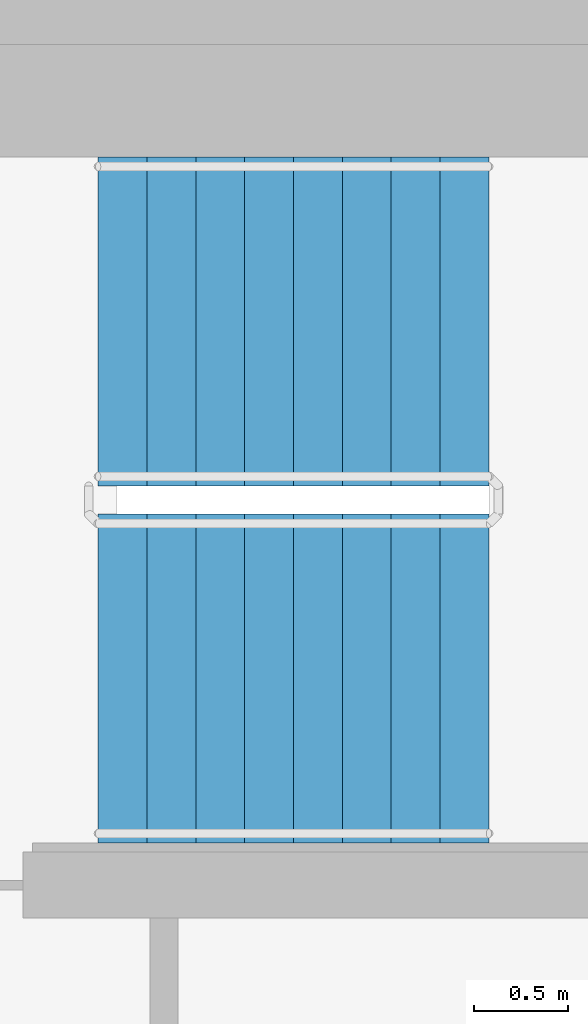
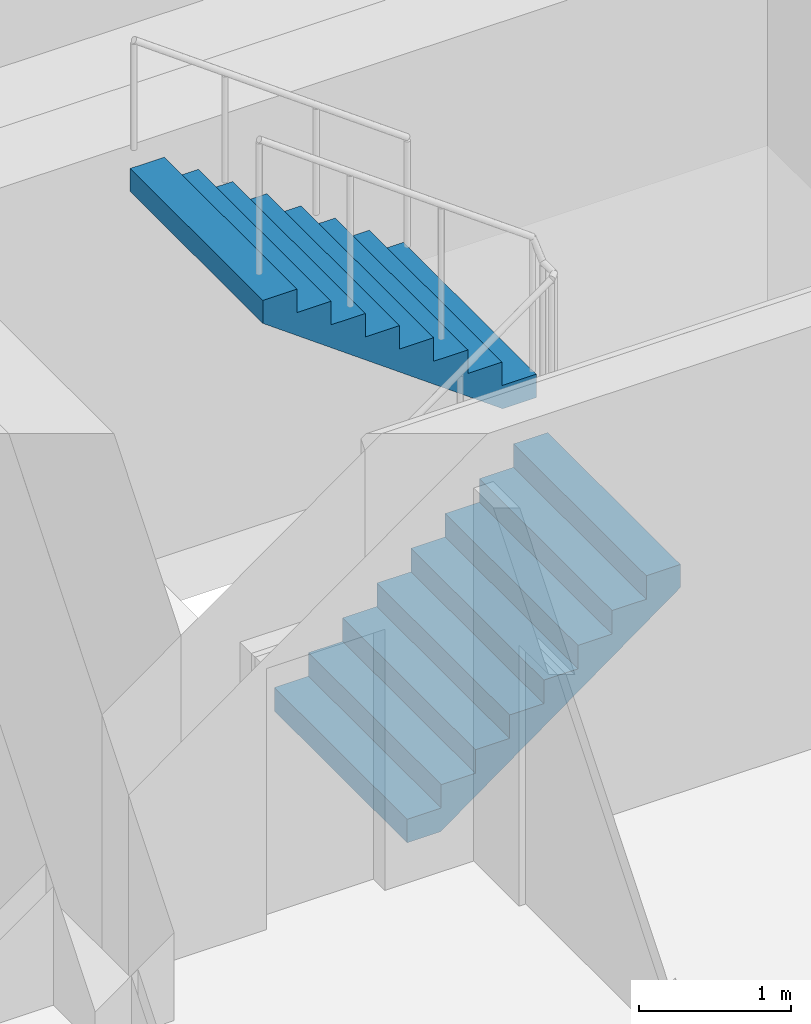
# One storey, part 13 of 18: 2 stair flights, 1 element without a shape of its own.
"""IFC4 building model written with IfcOpenShell, lengths in metres."""

from ifc_helpers import new_model, si_unit, direction, frame, origin, place, context, subcontext, project, spatial, faceted_brep, material, type_object, element, aggregate, save


model = new_model("IFC4")

# Units and contexts
model_context = context("Model", 3, precision=1e-05, world=origin(), true_north=direction((0.0, 1.0)))
body_context = subcontext(model_context, "Body", "Model", "MODEL_VIEW")
ifc_project = project(units=[si_unit("LENGTHUNIT", "METRE"), si_unit("AREAUNIT", "SQUARE_METRE"), si_unit("VOLUMEUNIT", "CUBIC_METRE"), si_unit("PLANEANGLEUNIT", "RADIAN"), si_unit("MASSUNIT", "GRAM", prefix="KILO")], contexts=[model_context])

# Site, building, storey
site_placement = place(None, origin())
site = spatial("IfcSite", under=ifc_project, at=site_placement, CompositionType="ELEMENT")
building_placement = place(site_placement, origin())
building = spatial("IfcBuilding", under=site, at=building_placement, Name="Ipe Terrace Towers", CompositionType="ELEMENT")
storey_placement = place(building_placement, frame((0.0, 0.0, 192.60009765625)))
storey = spatial("IfcBuildingStorey", under=building, at=storey_placement, Name="L53", CompositionType="ELEMENT", Elevation=192.60009765625)

# Stair, stair flights
ifc_material_1 = material(Name="Concrete C30/37", Category="concrete")
stair_type = type_object("IfcStairType", Name="Protected exit stair", PredefinedType="HALF_TURN_STAIR", material=ifc_material_1)
stair_placement = place(storey_placement, origin())
stair = element("IfcStair", 1, at=stair_placement, inside=storey, type_object=stair_type, Name="L53 Exit stair T1-C1", PredefinedType="HALF_TURN_STAIR")
ifc_material_2 = material(Name="Concrete C30/37", Category="concrete")
stair_flight_type = type_object("IfcStairFlightType", Name="Exit stair flight 1750", PredefinedType="STRAIGHT", material=ifc_material_2)
stair_flight_1_placement = place(storey_placement, frame((-26.300048828125, 2.77490234375, 0.0), z_axis=(0.0, 0.0, 1.0), x_axis=(1.0, 0.0, 0.0)))
stair_flight_1 = element("IfcStairFlight", 2, at=stair_flight_1_placement, type_object=stair_flight_type, Name="T1-ST1 flight 1", NumberOfRisers=9, NumberOfTreads=8, PredefinedType="STRAIGHT", RiserHeight=0.188888889, TreadLength=0.26, context=body_context, shape_type="Brep", body=[
    faceted_brep([(0.255126953125, -0.875, 0.0), (2.080078125, -0.875, 1.325927734375), (2.080078125, -0.875, 1.51123046875), (1.820068359375, -0.875, 1.51123046875), (1.820068359375, -0.875, 1.322265625), (1.56005859375, -0.875, 1.322265625), (1.56005859375, -0.875, 1.13330078125), (1.300048828125, -0.875, 1.13330078125), (1.300048828125, -0.875, 0.9443359375), (1.0400390625, -0.875, 0.9443359375), (1.0400390625, -0.875, 0.755615234375), (0.780029296875, -0.875, 0.755615234375), (0.780029296875, -0.875, 0.566650390625), (0.52001953125, -0.875, 0.566650390625), (0.52001953125, -0.875, 0.377685546875), (0.260009765625, -0.875, 0.377685546875), (0.260009765625, -0.875, 0.18896484375), (0.0, -0.875, 0.18896484375), (0.0, -0.875, 0.0), (0.0, 0.875, 0.0), (0.0, 0.875, 0.18896484375), (0.260009765625, 0.875, 0.18896484375), (0.260009765625, 0.875, 0.377685546875), (0.52001953125, 0.875, 0.377685546875), (0.52001953125, 0.875, 0.566650390625), (0.780029296875, 0.875, 0.566650390625), (0.780029296875, 0.875, 0.755615234375), (1.0400390625, 0.875, 0.755615234375), (1.0400390625, 0.875, 0.9443359375), (1.300048828125, 0.875, 0.9443359375), (1.300048828125, 0.875, 1.13330078125), (1.56005859375, 0.875, 1.13330078125), (1.56005859375, 0.875, 1.322265625), (1.820068359375, 0.875, 1.322265625), (1.820068359375, 0.875, 1.51123046875), (2.080078125, 0.875, 1.51123046875), (2.080078125, 0.875, 1.325927734375), (0.255126953125, 0.875, 0.0), (0.0, -0.300048828125, 0.18896484375), (0.0, -0.1201171875, 0.18896484375), (0.0, -0.06005859375, 0.18896484375), (0.0, -0.030029296875, 0.18896484375), (0.0, -0.010009765625, 0.18896484375), (0.0, 0.0, 0.18896484375), (0.0, 0.010009765625, 0.18896484375), (0.0, 0.030029296875, 0.18896484375), (0.0, 0.06005859375, 0.18896484375), (0.0, 0.1201171875, 0.18896484375), (0.0, 0.300048828125, 0.18896484375), (0.0, 0.300048828125, 0.0), (0.0, 0.1201171875, 0.0), (0.0, 0.06005859375, 0.0), (0.0, 0.030029296875, 0.0), (0.0, 0.010009765625, 0.0), (0.0, 0.0, 0.0), (0.0, -0.010009765625, 0.0), (0.0, -0.030029296875, 0.0), (0.0, -0.06005859375, 0.0), (0.0, -0.1201171875, 0.0), (0.0, -0.300048828125, 0.0), (0.260009765625, -0.300048828125, 0.18896484375), (0.260009765625, -0.1201171875, 0.18896484375), (0.260009765625, -0.06005859375, 0.18896484375), (0.260009765625, -0.030029296875, 0.18896484375), (0.260009765625, -0.010009765625, 0.18896484375), (0.260009765625, 0.0, 0.18896484375), (0.260009765625, 0.010009765625, 0.18896484375), (0.260009765625, 0.030029296875, 0.18896484375), (0.260009765625, 0.06005859375, 0.18896484375), (0.260009765625, 0.1201171875, 0.18896484375), (0.260009765625, 0.300048828125, 0.18896484375), (0.260009765625, -0.300048828125, 0.377685546875), (0.260009765625, -0.1201171875, 0.377685546875), (0.260009765625, -0.06005859375, 0.377685546875), (0.260009765625, -0.030029296875, 0.377685546875), (0.260009765625, -0.010009765625, 0.377685546875), (0.260009765625, 0.0, 0.377685546875), (0.260009765625, 0.010009765625, 0.377685546875), (0.260009765625, 0.030029296875, 0.377685546875), (0.260009765625, 0.06005859375, 0.377685546875), (0.260009765625, 0.1201171875, 0.377685546875), (0.260009765625, 0.300048828125, 0.377685546875), (0.52001953125, -0.300048828125, 0.377685546875), (0.52001953125, -0.1201171875, 0.377685546875), (0.52001953125, -0.06005859375, 0.377685546875), (0.52001953125, -0.030029296875, 0.377685546875), (0.52001953125, -0.010009765625, 0.377685546875), (0.52001953125, 0.0, 0.377685546875), (0.52001953125, 0.010009765625, 0.377685546875), (0.52001953125, 0.030029296875, 0.377685546875), (0.52001953125, 0.06005859375, 0.377685546875), (0.52001953125, 0.1201171875, 0.377685546875), (0.52001953125, 0.300048828125, 0.377685546875), (0.52001953125, -0.300048828125, 0.566650390625), (0.52001953125, -0.1201171875, 0.566650390625), (0.52001953125, -0.06005859375, 0.566650390625), (0.52001953125, -0.030029296875, 0.566650390625), (0.52001953125, -0.010009765625, 0.566650390625), (0.52001953125, 0.0, 0.566650390625), (0.52001953125, 0.010009765625, 0.566650390625), (0.52001953125, 0.030029296875, 0.566650390625), (0.52001953125, 0.06005859375, 0.566650390625), (0.52001953125, 0.1201171875, 0.566650390625), (0.52001953125, 0.300048828125, 0.566650390625), (0.780029296875, -0.300048828125, 0.566650390625), (0.780029296875, -0.1201171875, 0.566650390625), (0.780029296875, -0.06005859375, 0.566650390625), (0.780029296875, -0.030029296875, 0.566650390625), (0.780029296875, -0.010009765625, 0.566650390625), (0.780029296875, 0.0, 0.566650390625), (0.780029296875, 0.010009765625, 0.566650390625), (0.780029296875, 0.030029296875, 0.566650390625), (0.780029296875, 0.06005859375, 0.566650390625), (0.780029296875, 0.1201171875, 0.566650390625), (0.780029296875, 0.300048828125, 0.566650390625), (0.780029296875, -0.300048828125, 0.755615234375), (0.780029296875, -0.1201171875, 0.755615234375), (0.780029296875, -0.06005859375, 0.755615234375), (0.780029296875, -0.030029296875, 0.755615234375), (0.780029296875, -0.010009765625, 0.755615234375), (0.780029296875, 0.0, 0.755615234375), (0.780029296875, 0.010009765625, 0.755615234375), (0.780029296875, 0.030029296875, 0.755615234375), (0.780029296875, 0.06005859375, 0.755615234375), (0.780029296875, 0.1201171875, 0.755615234375), (0.780029296875, 0.300048828125, 0.755615234375), (1.0400390625, -0.300048828125, 0.755615234375), (1.0400390625, -0.1201171875, 0.755615234375), (1.0400390625, -0.06005859375, 0.755615234375), (1.0400390625, -0.030029296875, 0.755615234375), (1.0400390625, -0.010009765625, 0.755615234375), (1.0400390625, 0.0, 0.755615234375), (1.0400390625, 0.010009765625, 0.755615234375), (1.0400390625, 0.030029296875, 0.755615234375), (1.0400390625, 0.06005859375, 0.755615234375), (1.0400390625, 0.1201171875, 0.755615234375), (1.0400390625, 0.300048828125, 0.755615234375), (1.0400390625, -0.300048828125, 0.9443359375), (1.0400390625, -0.1201171875, 0.9443359375), (1.0400390625, -0.06005859375, 0.9443359375), (1.0400390625, -0.030029296875, 0.9443359375), (1.0400390625, -0.010009765625, 0.9443359375), (1.0400390625, 0.0, 0.9443359375), (1.0400390625, 0.010009765625, 0.9443359375), (1.0400390625, 0.030029296875, 0.9443359375), (1.0400390625, 0.06005859375, 0.9443359375), (1.0400390625, 0.1201171875, 0.9443359375), (1.0400390625, 0.300048828125, 0.9443359375), (1.300048828125, -0.300048828125, 0.9443359375), (1.300048828125, -0.1201171875, 0.9443359375), (1.300048828125, -0.06005859375, 0.9443359375), (1.300048828125, -0.030029296875, 0.9443359375), (1.300048828125, -0.010009765625, 0.9443359375), (1.300048828125, 0.0, 0.9443359375), (1.300048828125, 0.010009765625, 0.9443359375), (1.300048828125, 0.030029296875, 0.9443359375), (1.300048828125, 0.06005859375, 0.9443359375), (1.300048828125, 0.1201171875, 0.9443359375), (1.300048828125, 0.300048828125, 0.9443359375), (1.300048828125, -0.300048828125, 1.13330078125), (1.300048828125, -0.1201171875, 1.13330078125), (1.300048828125, -0.06005859375, 1.13330078125), (1.300048828125, -0.030029296875, 1.13330078125), (1.300048828125, -0.010009765625, 1.13330078125), (1.300048828125, 0.0, 1.13330078125), (1.300048828125, 0.010009765625, 1.13330078125), (1.300048828125, 0.030029296875, 1.13330078125), (1.300048828125, 0.06005859375, 1.13330078125), (1.300048828125, 0.1201171875, 1.13330078125), (1.300048828125, 0.300048828125, 1.13330078125), (1.56005859375, -0.300048828125, 1.13330078125), (1.56005859375, -0.1201171875, 1.13330078125), (1.56005859375, -0.06005859375, 1.13330078125), (1.56005859375, -0.030029296875, 1.13330078125), (1.56005859375, -0.010009765625, 1.13330078125), (1.56005859375, 0.0, 1.13330078125), (1.56005859375, 0.010009765625, 1.13330078125), (1.56005859375, 0.030029296875, 1.13330078125), (1.56005859375, 0.06005859375, 1.13330078125), (1.56005859375, 0.1201171875, 1.13330078125), (1.56005859375, 0.300048828125, 1.13330078125), (1.56005859375, -0.300048828125, 1.322265625), (1.56005859375, -0.1201171875, 1.322265625), (1.56005859375, -0.06005859375, 1.322265625), (1.56005859375, -0.030029296875, 1.322265625), (1.56005859375, -0.010009765625, 1.322265625), (1.56005859375, 0.0, 1.322265625), (1.56005859375, 0.010009765625, 1.322265625), (1.56005859375, 0.030029296875, 1.322265625), (1.56005859375, 0.06005859375, 1.322265625), (1.56005859375, 0.1201171875, 1.322265625), (1.56005859375, 0.300048828125, 1.322265625), (1.820068359375, -0.300048828125, 1.322265625), (1.820068359375, -0.1201171875, 1.322265625), (1.820068359375, -0.06005859375, 1.322265625), (1.820068359375, -0.030029296875, 1.322265625), (1.820068359375, -0.010009765625, 1.322265625), (1.820068359375, 0.0, 1.322265625), (1.820068359375, 0.010009765625, 1.322265625), (1.820068359375, 0.030029296875, 1.322265625), (1.820068359375, 0.06005859375, 1.322265625), (1.820068359375, 0.1201171875, 1.322265625), (1.820068359375, 0.300048828125, 1.322265625), (1.820068359375, -0.300048828125, 1.51123046875), (1.820068359375, -0.1201171875, 1.51123046875), (1.820068359375, -0.06005859375, 1.51123046875), (1.820068359375, -0.030029296875, 1.51123046875), (1.820068359375, -0.010009765625, 1.51123046875), (1.820068359375, 0.0, 1.51123046875), (1.820068359375, 0.010009765625, 1.51123046875), (1.820068359375, 0.030029296875, 1.51123046875), (1.820068359375, 0.06005859375, 1.51123046875), (1.820068359375, 0.1201171875, 1.51123046875), (1.820068359375, 0.300048828125, 1.51123046875), (2.080078125, -0.300048828125, 1.51123046875), (2.080078125, -0.1201171875, 1.51123046875), (2.080078125, -0.06005859375, 1.51123046875), (2.080078125, -0.030029296875, 1.51123046875), (2.080078125, -0.010009765625, 1.51123046875), (2.080078125, 0.0, 1.51123046875), (2.080078125, 0.010009765625, 1.51123046875), (2.080078125, 0.030029296875, 1.51123046875), (2.080078125, 0.06005859375, 1.51123046875), (2.080078125, 0.1201171875, 1.51123046875), (2.080078125, 0.300048828125, 1.51123046875), (2.080078125, -0.300048828125, 1.325927734375), (2.080078125, -0.1201171875, 1.325927734375), (2.080078125, -0.06005859375, 1.325927734375), (2.080078125, -0.030029296875, 1.325927734375), (2.080078125, -0.010009765625, 1.325927734375), (2.080078125, 0.0, 1.325927734375), (2.080078125, 0.010009765625, 1.325927734375), (2.080078125, 0.030029296875, 1.325927734375), (2.080078125, 0.06005859375, 1.325927734375), (2.080078125, 0.1201171875, 1.325927734375), (2.080078125, 0.300048828125, 1.325927734375), (0.255126953125, -0.300048828125, 0.0), (0.255126953125, -0.1201171875, 0.0), (0.255126953125, -0.06005859375, 0.0), (0.255126953125, -0.030029296875, 0.0), (0.255126953125, -0.010009765625, 0.0), (0.255126953125, 0.0, 0.0), (0.255126953125, 0.010009765625, 0.0), (0.255126953125, 0.030029296875, 0.0), (0.255126953125, 0.06005859375, 0.0), (0.255126953125, 0.1201171875, 0.0), (0.255126953125, 0.300048828125, 0.0)], [[[0, 1, 2, 3, 4, 5, 6, 7, 8, 9, 10, 11, 12, 13, 14, 15, 16, 17, 18]], [[19, 20, 21, 22, 23, 24, 25, 26, 27, 28, 29, 30, 31, 32, 33, 34, 35, 36, 37]], [[17, 38, 39, 40, 41, 42, 43, 44, 45, 46, 47, 48, 20, 19, 49, 50, 51, 52, 53, 54, 55, 56, 57, 58, 59, 18]], [[16, 60, 61, 62, 63, 64, 65, 66, 67, 68, 69, 70, 21, 20, 48, 47, 46, 45, 44, 43, 42, 41, 40, 39, 38, 17]], [[15, 71, 72, 73, 74, 75, 76, 77, 78, 79, 80, 81, 22, 21, 70, 69, 68, 67, 66, 65, 64, 63, 62, 61, 60, 16]], [[14, 82, 83, 84, 85, 86, 87, 88, 89, 90, 91, 92, 23, 22, 81, 80, 79, 78, 77, 76, 75, 74, 73, 72, 71, 15]], [[13, 93, 94, 95, 96, 97, 98, 99, 100, 101, 102, 103, 24, 23, 92, 91, 90, 89, 88, 87, 86, 85, 84, 83, 82, 14]], [[12, 104, 105, 106, 107, 108, 109, 110, 111, 112, 113, 114, 25, 24, 103, 102, 101, 100, 99, 98, 97, 96, 95, 94, 93, 13]], [[11, 115, 116, 117, 118, 119, 120, 121, 122, 123, 124, 125, 26, 25, 114, 113, 112, 111, 110, 109, 108, 107, 106, 105, 104, 12]], [[10, 126, 127, 128, 129, 130, 131, 132, 133, 134, 135, 136, 27, 26, 125, 124, 123, 122, 121, 120, 119, 118, 117, 116, 115, 11]], [[9, 137, 138, 139, 140, 141, 142, 143, 144, 145, 146, 147, 28, 27, 136, 135, 134, 133, 132, 131, 130, 129, 128, 127, 126, 10]], [[8, 148, 149, 150, 151, 152, 153, 154, 155, 156, 157, 158, 29, 28, 147, 146, 145, 144, 143, 142, 141, 140, 139, 138, 137, 9]], [[7, 159, 160, 161, 162, 163, 164, 165, 166, 167, 168, 169, 30, 29, 158, 157, 156, 155, 154, 153, 152, 151, 150, 149, 148, 8]], [[6, 170, 171, 172, 173, 174, 175, 176, 177, 178, 179, 180, 31, 30, 169, 168, 167, 166, 165, 164, 163, 162, 161, 160, 159, 7]], [[5, 181, 182, 183, 184, 185, 186, 187, 188, 189, 190, 191, 32, 31, 180, 179, 178, 177, 176, 175, 174, 173, 172, 171, 170, 6]], [[4, 192, 193, 194, 195, 196, 197, 198, 199, 200, 201, 202, 33, 32, 191, 190, 189, 188, 187, 186, 185, 184, 183, 182, 181, 5]], [[3, 203, 204, 205, 206, 207, 208, 209, 210, 211, 212, 213, 34, 33, 202, 201, 200, 199, 198, 197, 196, 195, 194, 193, 192, 4]], [[2, 214, 215, 216, 217, 218, 219, 220, 221, 222, 223, 224, 35, 34, 213, 212, 211, 210, 209, 208, 207, 206, 205, 204, 203, 3]], [[1, 225, 226, 227, 228, 229, 230, 231, 232, 233, 234, 235, 36, 35, 224, 223, 222, 221, 220, 219, 218, 217, 216, 215, 214, 2]], [[0, 236, 237, 238, 239, 240, 241, 242, 243, 244, 245, 246, 37, 36, 235, 234, 233, 232, 231, 230, 229, 228, 227, 226, 225, 1]], [[18, 59, 58, 57, 56, 55, 54, 53, 52, 51, 50, 49, 19, 37, 246, 245, 244, 243, 242, 241, 240, 239, 238, 237, 236, 0]]]),
])
stair_flight_2_placement = place(storey_placement, frame((-24.219970703125, 4.675048828125, 1.699951171875), z_axis=(0.0, 0.0, 1.0), x_axis=(-1.0, 0.0, 0.0)))
stair_flight_2 = element("IfcStairFlight", 3, at=stair_flight_2_placement, type_object=stair_flight_type, Name="T1-ST1 flight 2", NumberOfRisers=9, NumberOfTreads=8, PredefinedType="STRAIGHT", RiserHeight=0.188888889, TreadLength=0.26, context=body_context, shape_type="Brep", body=[
    faceted_brep([(0.255126953125, -0.875, 0.0), (2.080078125, -0.875, 1.325927734375), (2.080078125, -0.875, 1.51123046875), (1.820068359375, -0.875, 1.51123046875), (1.820068359375, -0.875, 1.322265625), (1.56005859375, -0.875, 1.322265625), (1.56005859375, -0.875, 1.13330078125), (1.300048828125, -0.875, 1.13330078125), (1.300048828125, -0.875, 0.9443359375), (1.0400390625, -0.875, 0.9443359375), (1.0400390625, -0.875, 0.755615234375), (0.780029296875, -0.875, 0.755615234375), (0.780029296875, -0.875, 0.566650390625), (0.52001953125, -0.875, 0.566650390625), (0.52001953125, -0.875, 0.377685546875), (0.260009765625, -0.875, 0.377685546875), (0.260009765625, -0.875, 0.18896484375), (0.0, -0.875, 0.18896484375), (0.0, -0.875, 0.0), (0.0, 0.875, 0.0), (0.0, 0.875, 0.18896484375), (0.260009765625, 0.875, 0.18896484375), (0.260009765625, 0.875, 0.377685546875), (0.52001953125, 0.875, 0.377685546875), (0.52001953125, 0.875, 0.566650390625), (0.780029296875, 0.875, 0.566650390625), (0.780029296875, 0.875, 0.755615234375), (1.0400390625, 0.875, 0.755615234375), (1.0400390625, 0.875, 0.9443359375), (1.300048828125, 0.875, 0.9443359375), (1.300048828125, 0.875, 1.13330078125), (1.56005859375, 0.875, 1.13330078125), (1.56005859375, 0.875, 1.322265625), (1.820068359375, 0.875, 1.322265625), (1.820068359375, 0.875, 1.51123046875), (2.080078125, 0.875, 1.51123046875), (2.080078125, 0.875, 1.325927734375), (0.255126953125, 0.875, 0.0), (0.0, -0.300048828125, 0.18896484375), (0.0, -0.1201171875, 0.18896484375), (0.0, -0.06005859375, 0.18896484375), (0.0, -0.030029296875, 0.18896484375), (0.0, -0.010009765625, 0.18896484375), (0.0, 0.0, 0.18896484375), (0.0, 0.010009765625, 0.18896484375), (0.0, 0.030029296875, 0.18896484375), (0.0, 0.06005859375, 0.18896484375), (0.0, 0.1201171875, 0.18896484375), (0.0, 0.300048828125, 0.18896484375), (0.0, 0.300048828125, 0.0), (0.0, 0.1201171875, 0.0), (0.0, 0.06005859375, 0.0), (0.0, 0.030029296875, 0.0), (0.0, 0.010009765625, 0.0), (0.0, 0.0, 0.0), (0.0, -0.010009765625, 0.0), (0.0, -0.030029296875, 0.0), (0.0, -0.06005859375, 0.0), (0.0, -0.1201171875, 0.0), (0.0, -0.300048828125, 0.0), (0.260009765625, -0.300048828125, 0.18896484375), (0.260009765625, -0.1201171875, 0.18896484375), (0.260009765625, -0.06005859375, 0.18896484375), (0.260009765625, -0.030029296875, 0.18896484375), (0.260009765625, -0.010009765625, 0.18896484375), (0.260009765625, 0.0, 0.18896484375), (0.260009765625, 0.010009765625, 0.18896484375), (0.260009765625, 0.030029296875, 0.18896484375), (0.260009765625, 0.06005859375, 0.18896484375), (0.260009765625, 0.1201171875, 0.18896484375), (0.260009765625, 0.300048828125, 0.18896484375), (0.260009765625, -0.300048828125, 0.377685546875), (0.260009765625, -0.1201171875, 0.377685546875), (0.260009765625, -0.06005859375, 0.377685546875), (0.260009765625, -0.030029296875, 0.377685546875), (0.260009765625, -0.010009765625, 0.377685546875), (0.260009765625, 0.0, 0.377685546875), (0.260009765625, 0.010009765625, 0.377685546875), (0.260009765625, 0.030029296875, 0.377685546875), (0.260009765625, 0.06005859375, 0.377685546875), (0.260009765625, 0.1201171875, 0.377685546875), (0.260009765625, 0.300048828125, 0.377685546875), (0.52001953125, -0.300048828125, 0.377685546875), (0.52001953125, -0.1201171875, 0.377685546875), (0.52001953125, -0.06005859375, 0.377685546875), (0.52001953125, -0.030029296875, 0.377685546875), (0.52001953125, -0.010009765625, 0.377685546875), (0.52001953125, 0.0, 0.377685546875), (0.52001953125, 0.010009765625, 0.377685546875), (0.52001953125, 0.030029296875, 0.377685546875), (0.52001953125, 0.06005859375, 0.377685546875), (0.52001953125, 0.1201171875, 0.377685546875), (0.52001953125, 0.300048828125, 0.377685546875), (0.52001953125, -0.300048828125, 0.566650390625), (0.52001953125, -0.1201171875, 0.566650390625), (0.52001953125, -0.06005859375, 0.566650390625), (0.52001953125, -0.030029296875, 0.566650390625), (0.52001953125, -0.010009765625, 0.566650390625), (0.52001953125, 0.0, 0.566650390625), (0.52001953125, 0.010009765625, 0.566650390625), (0.52001953125, 0.030029296875, 0.566650390625), (0.52001953125, 0.06005859375, 0.566650390625), (0.52001953125, 0.1201171875, 0.566650390625), (0.52001953125, 0.300048828125, 0.566650390625), (0.780029296875, -0.300048828125, 0.566650390625), (0.780029296875, -0.1201171875, 0.566650390625), (0.780029296875, -0.06005859375, 0.566650390625), (0.780029296875, -0.030029296875, 0.566650390625), (0.780029296875, -0.010009765625, 0.566650390625), (0.780029296875, 0.0, 0.566650390625), (0.780029296875, 0.010009765625, 0.566650390625), (0.780029296875, 0.030029296875, 0.566650390625), (0.780029296875, 0.06005859375, 0.566650390625), (0.780029296875, 0.1201171875, 0.566650390625), (0.780029296875, 0.300048828125, 0.566650390625), (0.780029296875, -0.300048828125, 0.755615234375), (0.780029296875, -0.1201171875, 0.755615234375), (0.780029296875, -0.06005859375, 0.755615234375), (0.780029296875, -0.030029296875, 0.755615234375), (0.780029296875, -0.010009765625, 0.755615234375), (0.780029296875, 0.0, 0.755615234375), (0.780029296875, 0.010009765625, 0.755615234375), (0.780029296875, 0.030029296875, 0.755615234375), (0.780029296875, 0.06005859375, 0.755615234375), (0.780029296875, 0.1201171875, 0.755615234375), (0.780029296875, 0.300048828125, 0.755615234375), (1.0400390625, -0.300048828125, 0.755615234375), (1.0400390625, -0.1201171875, 0.755615234375), (1.0400390625, -0.06005859375, 0.755615234375), (1.0400390625, -0.030029296875, 0.755615234375), (1.0400390625, -0.010009765625, 0.755615234375), (1.0400390625, 0.0, 0.755615234375), (1.0400390625, 0.010009765625, 0.755615234375), (1.0400390625, 0.030029296875, 0.755615234375), (1.0400390625, 0.06005859375, 0.755615234375), (1.0400390625, 0.1201171875, 0.755615234375), (1.0400390625, 0.300048828125, 0.755615234375), (1.0400390625, -0.300048828125, 0.9443359375), (1.0400390625, -0.1201171875, 0.9443359375), (1.0400390625, -0.06005859375, 0.9443359375), (1.0400390625, -0.030029296875, 0.9443359375), (1.0400390625, -0.010009765625, 0.9443359375), (1.0400390625, 0.0, 0.9443359375), (1.0400390625, 0.010009765625, 0.9443359375), (1.0400390625, 0.030029296875, 0.9443359375), (1.0400390625, 0.06005859375, 0.9443359375), (1.0400390625, 0.1201171875, 0.9443359375), (1.0400390625, 0.300048828125, 0.9443359375), (1.300048828125, -0.300048828125, 0.9443359375), (1.300048828125, -0.1201171875, 0.9443359375), (1.300048828125, -0.06005859375, 0.9443359375), (1.300048828125, -0.030029296875, 0.9443359375), (1.300048828125, -0.010009765625, 0.9443359375), (1.300048828125, 0.0, 0.9443359375), (1.300048828125, 0.010009765625, 0.9443359375), (1.300048828125, 0.030029296875, 0.9443359375), (1.300048828125, 0.06005859375, 0.9443359375), (1.300048828125, 0.1201171875, 0.9443359375), (1.300048828125, 0.300048828125, 0.9443359375), (1.300048828125, -0.300048828125, 1.13330078125), (1.300048828125, -0.1201171875, 1.13330078125), (1.300048828125, -0.06005859375, 1.13330078125), (1.300048828125, -0.030029296875, 1.13330078125), (1.300048828125, -0.010009765625, 1.13330078125), (1.300048828125, 0.0, 1.13330078125), (1.300048828125, 0.010009765625, 1.13330078125), (1.300048828125, 0.030029296875, 1.13330078125), (1.300048828125, 0.06005859375, 1.13330078125), (1.300048828125, 0.1201171875, 1.13330078125), (1.300048828125, 0.300048828125, 1.13330078125), (1.56005859375, -0.300048828125, 1.13330078125), (1.56005859375, -0.1201171875, 1.13330078125), (1.56005859375, -0.06005859375, 1.13330078125), (1.56005859375, -0.030029296875, 1.13330078125), (1.56005859375, -0.010009765625, 1.13330078125), (1.56005859375, 0.0, 1.13330078125), (1.56005859375, 0.010009765625, 1.13330078125), (1.56005859375, 0.030029296875, 1.13330078125), (1.56005859375, 0.06005859375, 1.13330078125), (1.56005859375, 0.1201171875, 1.13330078125), (1.56005859375, 0.300048828125, 1.13330078125), (1.56005859375, -0.300048828125, 1.322265625), (1.56005859375, -0.1201171875, 1.322265625), (1.56005859375, -0.06005859375, 1.322265625), (1.56005859375, -0.030029296875, 1.322265625), (1.56005859375, -0.010009765625, 1.322265625), (1.56005859375, 0.0, 1.322265625), (1.56005859375, 0.010009765625, 1.322265625), (1.56005859375, 0.030029296875, 1.322265625), (1.56005859375, 0.06005859375, 1.322265625), (1.56005859375, 0.1201171875, 1.322265625), (1.56005859375, 0.300048828125, 1.322265625), (1.820068359375, -0.300048828125, 1.322265625), (1.820068359375, -0.1201171875, 1.322265625), (1.820068359375, -0.06005859375, 1.322265625), (1.820068359375, -0.030029296875, 1.322265625), (1.820068359375, -0.010009765625, 1.322265625), (1.820068359375, 0.0, 1.322265625), (1.820068359375, 0.010009765625, 1.322265625), (1.820068359375, 0.030029296875, 1.322265625), (1.820068359375, 0.06005859375, 1.322265625), (1.820068359375, 0.1201171875, 1.322265625), (1.820068359375, 0.300048828125, 1.322265625), (1.820068359375, -0.300048828125, 1.51123046875), (1.820068359375, -0.1201171875, 1.51123046875), (1.820068359375, -0.06005859375, 1.51123046875), (1.820068359375, -0.030029296875, 1.51123046875), (1.820068359375, -0.010009765625, 1.51123046875), (1.820068359375, 0.0, 1.51123046875), (1.820068359375, 0.010009765625, 1.51123046875), (1.820068359375, 0.030029296875, 1.51123046875), (1.820068359375, 0.06005859375, 1.51123046875), (1.820068359375, 0.1201171875, 1.51123046875), (1.820068359375, 0.300048828125, 1.51123046875), (2.080078125, -0.300048828125, 1.51123046875), (2.080078125, -0.1201171875, 1.51123046875), (2.080078125, -0.06005859375, 1.51123046875), (2.080078125, -0.030029296875, 1.51123046875), (2.080078125, -0.010009765625, 1.51123046875), (2.080078125, 0.0, 1.51123046875), (2.080078125, 0.010009765625, 1.51123046875), (2.080078125, 0.030029296875, 1.51123046875), (2.080078125, 0.06005859375, 1.51123046875), (2.080078125, 0.1201171875, 1.51123046875), (2.080078125, 0.300048828125, 1.51123046875), (2.080078125, -0.300048828125, 1.325927734375), (2.080078125, -0.1201171875, 1.325927734375), (2.080078125, -0.06005859375, 1.325927734375), (2.080078125, -0.030029296875, 1.325927734375), (2.080078125, -0.010009765625, 1.325927734375), (2.080078125, 0.0, 1.325927734375), (2.080078125, 0.010009765625, 1.325927734375), (2.080078125, 0.030029296875, 1.325927734375), (2.080078125, 0.06005859375, 1.325927734375), (2.080078125, 0.1201171875, 1.325927734375), (2.080078125, 0.300048828125, 1.325927734375), (0.255126953125, -0.300048828125, 0.0), (0.255126953125, -0.1201171875, 0.0), (0.255126953125, -0.06005859375, 0.0), (0.255126953125, -0.030029296875, 0.0), (0.255126953125, -0.010009765625, 0.0), (0.255126953125, 0.0, 0.0), (0.255126953125, 0.010009765625, 0.0), (0.255126953125, 0.030029296875, 0.0), (0.255126953125, 0.06005859375, 0.0), (0.255126953125, 0.1201171875, 0.0), (0.255126953125, 0.300048828125, 0.0)], [[[0, 1, 2, 3, 4, 5, 6, 7, 8, 9, 10, 11, 12, 13, 14, 15, 16, 17, 18]], [[19, 20, 21, 22, 23, 24, 25, 26, 27, 28, 29, 30, 31, 32, 33, 34, 35, 36, 37]], [[17, 38, 39, 40, 41, 42, 43, 44, 45, 46, 47, 48, 20, 19, 49, 50, 51, 52, 53, 54, 55, 56, 57, 58, 59, 18]], [[16, 60, 61, 62, 63, 64, 65, 66, 67, 68, 69, 70, 21, 20, 48, 47, 46, 45, 44, 43, 42, 41, 40, 39, 38, 17]], [[15, 71, 72, 73, 74, 75, 76, 77, 78, 79, 80, 81, 22, 21, 70, 69, 68, 67, 66, 65, 64, 63, 62, 61, 60, 16]], [[14, 82, 83, 84, 85, 86, 87, 88, 89, 90, 91, 92, 23, 22, 81, 80, 79, 78, 77, 76, 75, 74, 73, 72, 71, 15]], [[13, 93, 94, 95, 96, 97, 98, 99, 100, 101, 102, 103, 24, 23, 92, 91, 90, 89, 88, 87, 86, 85, 84, 83, 82, 14]], [[12, 104, 105, 106, 107, 108, 109, 110, 111, 112, 113, 114, 25, 24, 103, 102, 101, 100, 99, 98, 97, 96, 95, 94, 93, 13]], [[11, 115, 116, 117, 118, 119, 120, 121, 122, 123, 124, 125, 26, 25, 114, 113, 112, 111, 110, 109, 108, 107, 106, 105, 104, 12]], [[10, 126, 127, 128, 129, 130, 131, 132, 133, 134, 135, 136, 27, 26, 125, 124, 123, 122, 121, 120, 119, 118, 117, 116, 115, 11]], [[9, 137, 138, 139, 140, 141, 142, 143, 144, 145, 146, 147, 28, 27, 136, 135, 134, 133, 132, 131, 130, 129, 128, 127, 126, 10]], [[8, 148, 149, 150, 151, 152, 153, 154, 155, 156, 157, 158, 29, 28, 147, 146, 145, 144, 143, 142, 141, 140, 139, 138, 137, 9]], [[7, 159, 160, 161, 162, 163, 164, 165, 166, 167, 168, 169, 30, 29, 158, 157, 156, 155, 154, 153, 152, 151, 150, 149, 148, 8]], [[6, 170, 171, 172, 173, 174, 175, 176, 177, 178, 179, 180, 31, 30, 169, 168, 167, 166, 165, 164, 163, 162, 161, 160, 159, 7]], [[5, 181, 182, 183, 184, 185, 186, 187, 188, 189, 190, 191, 32, 31, 180, 179, 178, 177, 176, 175, 174, 173, 172, 171, 170, 6]], [[4, 192, 193, 194, 195, 196, 197, 198, 199, 200, 201, 202, 33, 32, 191, 190, 189, 188, 187, 186, 185, 184, 183, 182, 181, 5]], [[3, 203, 204, 205, 206, 207, 208, 209, 210, 211, 212, 213, 34, 33, 202, 201, 200, 199, 198, 197, 196, 195, 194, 193, 192, 4]], [[2, 214, 215, 216, 217, 218, 219, 220, 221, 222, 223, 224, 35, 34, 213, 212, 211, 210, 209, 208, 207, 206, 205, 204, 203, 3]], [[1, 225, 226, 227, 228, 229, 230, 231, 232, 233, 234, 235, 36, 35, 224, 223, 222, 221, 220, 219, 218, 217, 216, 215, 214, 2]], [[0, 236, 237, 238, 239, 240, 241, 242, 243, 244, 245, 246, 37, 36, 235, 234, 233, 232, 231, 230, 229, 228, 227, 226, 225, 1]], [[18, 59, 58, 57, 56, 55, 54, 53, 52, 51, 50, 49, 19, 37, 246, 245, 244, 243, 242, 241, 240, 239, 238, 237, 236, 0]]]),
])
aggregate(stair, [stair_flight_1, stair_flight_2])

save(model, "model.ifc")
